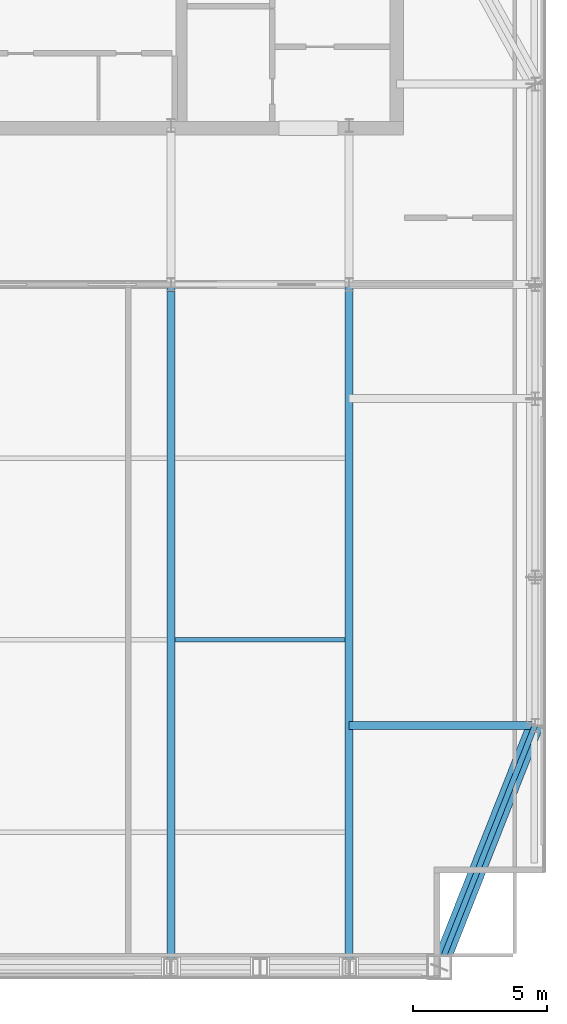
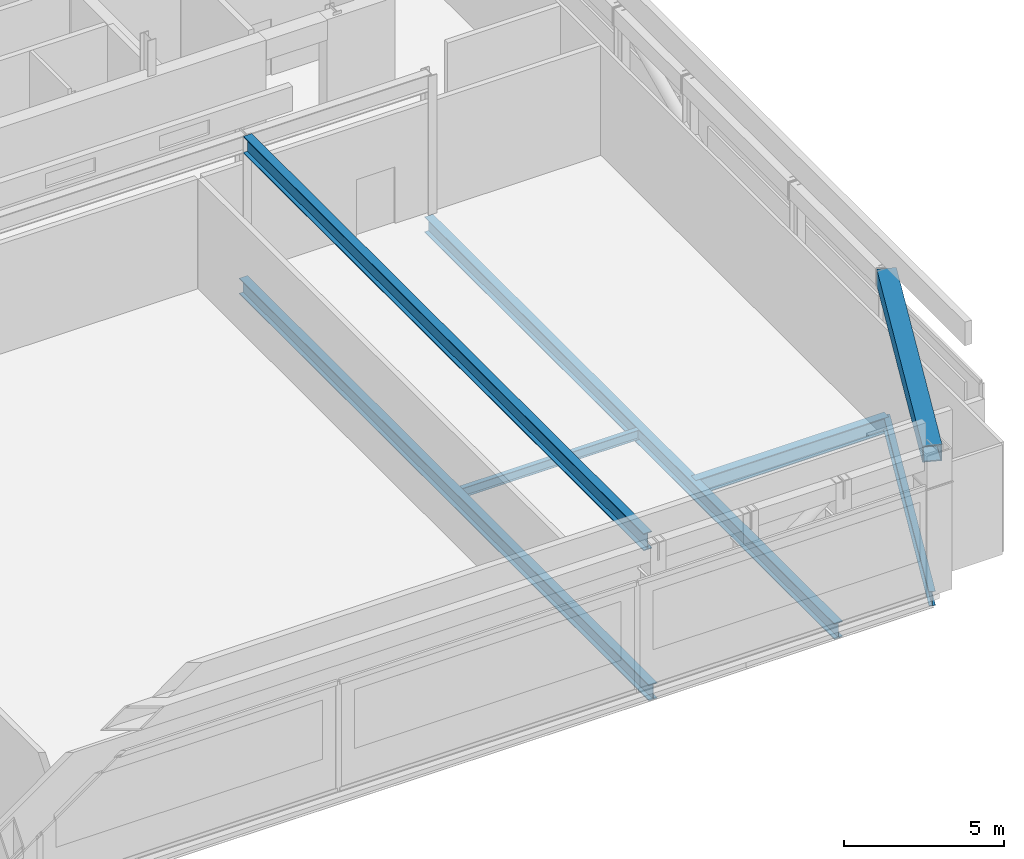
# One storey, part 11 of 24: 7 beams.
"""IFC4 building model written with IfcOpenShell, lengths in metres."""

from ifc_helpers import new_model, si_unit, direction, frame, origin, origin_2d, place, context, subcontext, project, spatial, hollow_rectangle, i_section, extrude, material, material_profile, profile_set, type_object, element, save


model = new_model("IFC4")

# Units and contexts
model_context = context("Model", 3, precision=1e-05, world=origin(), true_north=direction((0.0, 1.0)))
body_context = subcontext(model_context, "Body", "Model", "MODEL_VIEW")
ifc_project = project(units=[si_unit("LENGTHUNIT", "METRE"), si_unit("AREAUNIT", "SQUARE_METRE"), si_unit("VOLUMEUNIT", "CUBIC_METRE"), si_unit("PLANEANGLEUNIT", "RADIAN"), si_unit("MASSUNIT", "GRAM", prefix="KILO")], contexts=[model_context])

# Site, building, storey
site_placement = place(None, origin())
site = spatial("IfcSite", under=ifc_project, at=site_placement, CompositionType="ELEMENT")
building_placement = place(site_placement, origin())
building = spatial("IfcBuilding", under=site, at=building_placement, Name="Khoronbel Lancet Exchange", CompositionType="ELEMENT")
storey_placement = place(building_placement, frame((0.0, 0.0, 378.60009765625)))
storey = spatial("IfcBuildingStorey", under=building, at=storey_placement, Name="L96", CompositionType="ELEMENT", Elevation=378.60009765625)

# Beams
ifc_material = material(Name="Steel S355", Category="steel")
ifc_material_profile_1 = material_profile(ifc_material, i_section(OverallWidth=0.300048828125, OverallDepth=0.64990234375, WebThickness=0.01611328125, FlangeThickness=0.031005859375, at=origin_2d()), Name="HEB 650")
ifc_profile_set_1 = profile_set([ifc_material_profile_1], Name="Steel S355")
beam_type_1 = type_object("IfcBeamType", Name="BM-BG4", PredefinedType="BEAM", material=ifc_profile_set_1)
beam_1_placement = place(storey_placement, frame((48.0, 10.47998046875, 5.034912109375), z_axis=(0.0, 1.0, 0.0), x_axis=(-1.0, 0.0, 0.0)))
element("IfcBeam", 1, at=beam_1_placement, inside=storey, type_object=beam_type_1, Name="CROWN FRAME transverse roof tie girder E", PredefinedType="BEAM", context=body_context, shape_type="SweptSolid", body=[
    extrude(i_section(OverallWidth=0.300048828125, OverallDepth=0.64990234375, WebThickness=0.01611328125, FlangeThickness=0.031005859375, at=origin_2d()), origin(), (0.0, 0.0, 1.0), 24.9599609375),
])
ifc_material_profile_2 = material_profile(ifc_material, i_section(OverallWidth=0.300048828125, OverallDepth=0.60009765625, WebThickness=0.015380859375, FlangeThickness=0.030029296875, at=origin_2d()), Name="HEB 600")
ifc_profile_set_2 = profile_set([ifc_material_profile_2], Name="Steel S355")
beam_type_2 = type_object("IfcBeamType", Name="BM-BG5", PredefinedType="BEAM", material=ifc_profile_set_2)
for number, where, z_axis, x_axis, name in (
    (2, (48.0, 10.14990234375, -0.5), (0.0, 1.0, 0.0), (-1.0, 0.0, 0.0), "Level L96 south primary girder GS5"),
    (3, (54.675048828125, 10.14990234375, -0.5), (0.0, 1.0, 0.0), (-1.0, 0.0, 0.0), "Level L96 south primary girder GS6"),
):
    element("IfcBeam", number, at=place(storey_placement, frame(where, z_axis=z_axis, x_axis=x_axis)), inside=storey, type_object=beam_type_2, Name=name, PredefinedType="BEAM", context=body_context, shape_type="SweptSolid", body=[
        extrude(i_section(OverallWidth=0.300048828125, OverallDepth=0.60009765625, WebThickness=0.015380859375, FlangeThickness=0.030029296875, at=origin_2d()), origin(), (0.0, 0.0, 1.0), 25.550048828125),
    ])
beam_2_placement = place(storey_placement, frame((54.675048828125, 19.199951171875, -0.5), z_axis=(1.0, 0.0, 0.0), x_axis=(0.0, 1.0, 0.0)))
element("IfcBeam", 4, at=beam_2_placement, inside=storey, type_object=beam_type_2, Name="Level L96 east lens tie girder LG1E", PredefinedType="BEAM", context=body_context, shape_type="SweptSolid", body=[
    extrude(i_section(OverallWidth=0.300048828125, OverallDepth=0.60009765625, WebThickness=0.015380859375, FlangeThickness=0.030029296875, at=origin_2d()), origin(), (0.0, 0.0, 1.0), 6.954833984375),
])
ifc_material_profile_3 = material_profile(ifc_material, i_section(OverallWidth=0.169921875, OverallDepth=0.360107421875, WebThickness=0.008056640625, FlangeThickness=0.0126953125, at=origin_2d()), Name="IPE 360")
ifc_profile_set_3 = profile_set([ifc_material_profile_3], Name="Steel S355")
beam_type_3 = type_object("IfcBeamType", Name="BM-BJ6", PredefinedType="JOIST", material=ifc_profile_set_3)
beam_3_placement = place(storey_placement, frame((48.14990234375, 22.39990234375, -0.380126953125), z_axis=(1.0, 0.0, 0.0), x_axis=(0.0, 1.0, 0.0)))
element("IfcBeam", 5, at=beam_3_placement, inside=storey, type_object=beam_type_3, Name="Level L96 secondary composite joist J06", PredefinedType="JOIST", context=body_context, shape_type="SweptSolid", body=[
    extrude(i_section(OverallWidth=0.169921875, OverallDepth=0.360107421875, WebThickness=0.008056640625, FlangeThickness=0.0126953125, at=origin_2d()), origin(), (0.0, 0.0, 1.0), 6.375),
])
ifc_material_profile_4 = material_profile(ifc_material, i_section(OverallWidth=0.2099609375, OverallDepth=0.550048828125, WebThickness=0.010986328125, FlangeThickness=0.01708984375, at=origin_2d()), Name="IPE 550")
ifc_profile_set_4 = profile_set([ifc_material_profile_4], Name="Steel S355")
beam_type_4 = type_object("IfcBeamType", Name="BM-BSP3", PredefinedType="SPANDREL", material=ifc_profile_set_4)
beam_4_placement = place(storey_placement, frame((58.050048828125, 10.14990234375, -0.47509765625), z_axis=(0.367828403855, 0.929893684954, 0.0), x_axis=(-0.929893684954, 0.367828403855, 0.0)))
element("IfcBeam", 6, at=beam_4_placement, inside=storey, type_object=beam_type_4, Name="Level L96 perimeter spandrel beam SP08", PredefinedType="SPANDREL", context=body_context, shape_type="SweptSolid", body=[
    extrude(i_section(OverallWidth=0.2099609375, OverallDepth=0.550048828125, WebThickness=0.010986328125, FlangeThickness=0.01708984375, at=origin_2d()), origin(), (0.0, 0.0, 1.0), 9.732421875),
])
ifc_material_profile_5 = material_profile(ifc_material, hollow_rectangle(XDim=0.6201171875, YDim=0.6201171875, WallThickness=0.0400390625, at=origin_2d()), Name="BOX 620x620x40")
ifc_profile_set_5 = profile_set([ifc_material_profile_5], Name="Steel S355")
beam_type_5 = type_object("IfcBeamType", Name="BM-RB1", PredefinedType="USERDEFINED", material=ifc_profile_set_5)
beam_5_placement = place(storey_placement, frame((58.050048828125, 10.14990234375, 5.0498046875), z_axis=(0.367828403855, 0.929893684954, 0.0), x_axis=(-0.929893684954, 0.367828403855, 0.0)))
element("IfcBeam", 7, at=beam_5_placement, inside=storey, type_object=beam_type_5, Name="CROWN FRAME top ring cap beam RB08", ObjectType="RING BEAM", PredefinedType="USERDEFINED", context=body_context, shape_type="SweptSolid", body=[
    extrude(hollow_rectangle(XDim=0.6201171875, YDim=0.6201171875, WallThickness=0.0400390625, at=origin_2d()), origin(), (0.0, 0.0, 1.0), 9.732421875),
])

save(model, "model.ifc")
